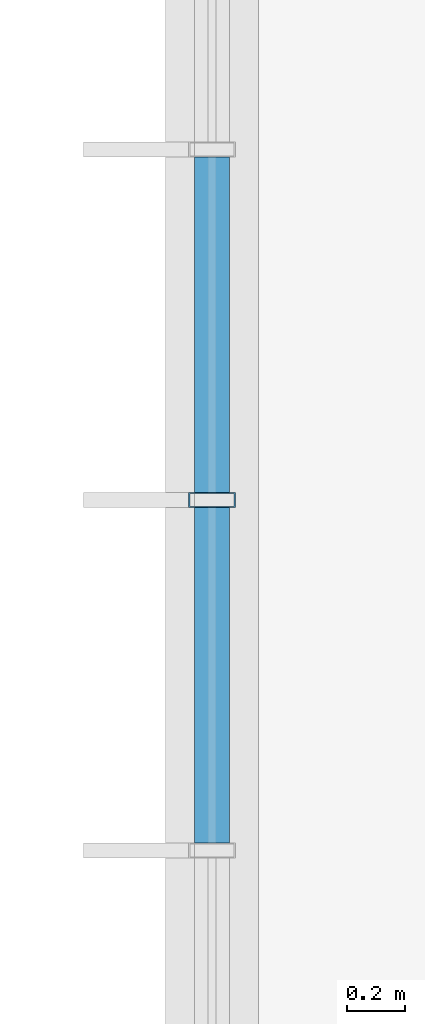
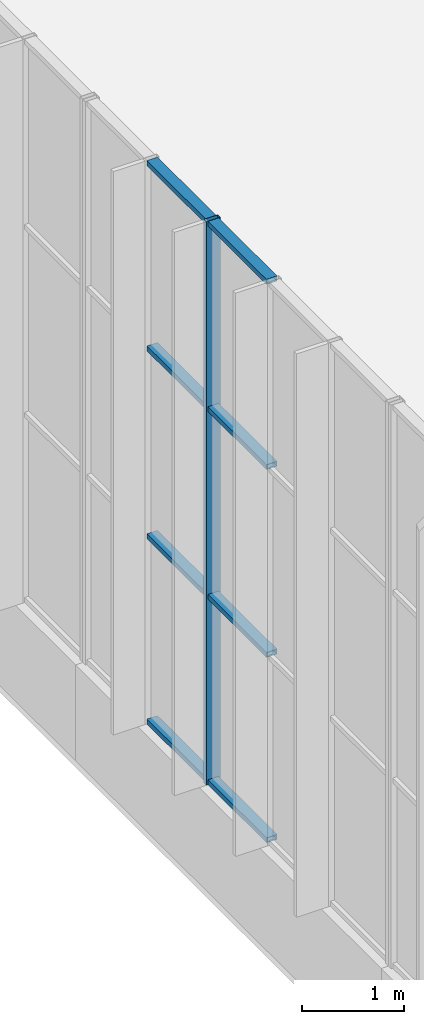
# One storey, part 49 of 136: 9 members, 1 element without a shape of its own.
"""IFC4 building model written with IfcOpenShell, lengths in metres."""

from ifc_helpers import new_model, si_unit, direction, frame, origin, origin_2d, place, context, subcontext, project, spatial, hollow_rectangle, extrude, material, layer, layer_set, material_profile, profile_set, type_object, element, aggregate, save


model = new_model("IFC4")

# Units and contexts
model_context = context("Model", 3, precision=1e-05, world=origin(), true_north=direction((0.0, 1.0)))
body_context = subcontext(model_context, "Body", "Model", "MODEL_VIEW")
ifc_project = project(units=[si_unit("LENGTHUNIT", "METRE"), si_unit("AREAUNIT", "SQUARE_METRE"), si_unit("VOLUMEUNIT", "CUBIC_METRE"), si_unit("PLANEANGLEUNIT", "RADIAN"), si_unit("MASSUNIT", "GRAM", prefix="KILO")], contexts=[model_context])

# Site, building, storey
site_placement = place(None, origin())
site = spatial("IfcSite", under=ifc_project, at=site_placement, CompositionType="ELEMENT")
building_placement = place(site_placement, origin())
building = spatial("IfcBuilding", under=site, at=building_placement, Name="Solvenia Promenade Tram Depot", CompositionType="ELEMENT")
storey_placement = place(building_placement, origin())
storey = spatial("IfcBuildingStorey", under=building, at=storey_placement, Name="L00", CompositionType="ELEMENT", Elevation=0.0)

# Curtain wall, members
ifc_material = material(Name="Anodized aluminium AW-6063 T6", Category="aluminium")
ifc_layer = layer(ifc_material, 0.159912109375, Name="Anodized aluminium AW-6063 T6", Category="aluminium")
ifc_layer_set = layer_set([ifc_layer], Name="Anodized aluminium AW-6063 T6")
curtain_wall_type = type_object("IfcCurtainWallType", Name="CW-Channel-1200", PredefinedType="NOTDEFINED", material=ifc_layer_set)
curtain_wall_placement = place(storey_placement, origin())
curtain_wall = element("IfcCurtainWall", 1, at=curtain_wall_placement, inside=storey, type_object=curtain_wall_type, Name="Curtain Wall CW-V1W-05", PredefinedType="NOTDEFINED")
ifc_material_profile_1 = material_profile(ifc_material, hollow_rectangle(XDim=0.159912109375, YDim=0.052001953125, WallThickness=0.00390625, at=origin_2d()), Name="ALU-M1", Category="aluminium")
ifc_profile_set_1 = profile_set([ifc_material_profile_1], Name="Anodized aluminium AW-6063 T6")
member_type_1 = type_object("IfcMemberType", Name="CWM-Mullion-1", PredefinedType="MULLION", material=ifc_profile_set_1)
member_1_placement = place(storey_placement, frame((0.0, 93.60009765625, 1.14990234375), z_axis=(0.0, 0.0, 1.0), x_axis=(-1.0, 0.0, 0.0)))
member_1 = element("IfcMember", 2, at=member_1_placement, type_object=member_type_1, Name="CW-1 mullion 4", PredefinedType="MULLION", context=body_context, shape_type="SweptSolid", body=[
    extrude(hollow_rectangle(XDim=0.159912109375, YDim=0.052001953125, WallThickness=0.00390625, at=origin_2d()), origin(), (0.0, 0.0, 1.0), 6.75),
])
ifc_material_profile_2 = material_profile(ifc_material, hollow_rectangle(XDim=0.1201171875, YDim=0.06005859375, WallThickness=0.00390625, at=origin_2d()), Name="ALU-T1", Category="aluminium")
ifc_profile_set_2 = profile_set([ifc_material_profile_2], Name="Anodized aluminium AW-6063 T6")
member_type_2 = type_object("IfcMemberType", Name="CWT-Transom-1", PredefinedType="USERDEFINED", material=ifc_profile_set_2)
member_2_placement = place(storey_placement, frame((0.0, 92.426025390625, 1.179931640625), z_axis=(0.0, 1.0, 0.0), x_axis=(-1.0, 0.0, 0.0)))
member_2 = element("IfcMember", 3, at=member_2_placement, type_object=member_type_2, Name="CW-1 transom 3.1", ObjectType="TRANSOM", PredefinedType="USERDEFINED", context=body_context, shape_type="SweptSolid", body=[
    extrude(hollow_rectangle(XDim=0.1201171875, YDim=0.06005859375, WallThickness=0.00390625, at=origin_2d()), origin(), (0.0, 0.0, 1.0), 1.14794921875),
])
member_3_placement = place(storey_placement, frame((0.0, 92.426025390625, 3.39990234375), z_axis=(0.0, 1.0, 0.0), x_axis=(-1.0, 0.0, 0.0)))
member_3 = element("IfcMember", 4, at=member_3_placement, type_object=member_type_2, Name="CW-1 transom 3.2", ObjectType="TRANSOM", PredefinedType="USERDEFINED", context=body_context, shape_type="SweptSolid", body=[
    extrude(hollow_rectangle(XDim=0.1201171875, YDim=0.06005859375, WallThickness=0.00390625, at=origin_2d()), origin(), (0.0, 0.0, 1.0), 1.14794921875),
])
member_4_placement = place(storey_placement, frame((0.0, 92.426025390625, 5.64990234375), z_axis=(0.0, 1.0, 0.0), x_axis=(-1.0, 0.0, 0.0)))
member_4 = element("IfcMember", 5, at=member_4_placement, type_object=member_type_2, Name="CW-1 transom 3.3", ObjectType="TRANSOM", PredefinedType="USERDEFINED", context=body_context, shape_type="SweptSolid", body=[
    extrude(hollow_rectangle(XDim=0.1201171875, YDim=0.06005859375, WallThickness=0.00390625, at=origin_2d()), origin(), (0.0, 0.0, 1.0), 1.14794921875),
])
member_5_placement = place(storey_placement, frame((0.0, 92.426025390625, 7.8701171875), z_axis=(0.0, 1.0, 0.0), x_axis=(-1.0, 0.0, 0.0)))
member_5 = element("IfcMember", 6, at=member_5_placement, type_object=member_type_2, Name="CW-1 transom 3.4", ObjectType="TRANSOM", PredefinedType="USERDEFINED", context=body_context, shape_type="SweptSolid", body=[
    extrude(hollow_rectangle(XDim=0.1201171875, YDim=0.06005859375, WallThickness=0.00390625, at=origin_2d()), origin(), (0.0, 0.0, 1.0), 1.14794921875),
])
member_6_placement = place(storey_placement, frame((0.0, 93.6259765625, 1.179931640625), z_axis=(0.0, 1.0, 0.0), x_axis=(-1.0, 0.0, 0.0)))
member_6 = element("IfcMember", 7, at=member_6_placement, type_object=member_type_2, Name="CW-1 transom 4.1", ObjectType="TRANSOM", PredefinedType="USERDEFINED", context=body_context, shape_type="SweptSolid", body=[
    extrude(hollow_rectangle(XDim=0.1201171875, YDim=0.06005859375, WallThickness=0.00390625, at=origin_2d()), origin(), (0.0, 0.0, 1.0), 1.14794921875),
])
member_7_placement = place(storey_placement, frame((0.0, 93.6259765625, 3.39990234375), z_axis=(0.0, 1.0, 0.0), x_axis=(-1.0, 0.0, 0.0)))
member_7 = element("IfcMember", 8, at=member_7_placement, type_object=member_type_2, Name="CW-1 transom 4.2", ObjectType="TRANSOM", PredefinedType="USERDEFINED", context=body_context, shape_type="SweptSolid", body=[
    extrude(hollow_rectangle(XDim=0.1201171875, YDim=0.06005859375, WallThickness=0.00390625, at=origin_2d()), origin(), (0.0, 0.0, 1.0), 1.14794921875),
])
member_8_placement = place(storey_placement, frame((0.0, 93.6259765625, 5.64990234375), z_axis=(0.0, 1.0, 0.0), x_axis=(-1.0, 0.0, 0.0)))
member_8 = element("IfcMember", 9, at=member_8_placement, type_object=member_type_2, Name="CW-1 transom 4.3", ObjectType="TRANSOM", PredefinedType="USERDEFINED", context=body_context, shape_type="SweptSolid", body=[
    extrude(hollow_rectangle(XDim=0.1201171875, YDim=0.06005859375, WallThickness=0.00390625, at=origin_2d()), origin(), (0.0, 0.0, 1.0), 1.14794921875),
])
member_9_placement = place(storey_placement, frame((0.0, 93.6259765625, 7.8701171875), z_axis=(0.0, 1.0, 0.0), x_axis=(-1.0, 0.0, 0.0)))
member_9 = element("IfcMember", 10, at=member_9_placement, type_object=member_type_2, Name="CW-1 transom 4.4", ObjectType="TRANSOM", PredefinedType="USERDEFINED", context=body_context, shape_type="SweptSolid", body=[
    extrude(hollow_rectangle(XDim=0.1201171875, YDim=0.06005859375, WallThickness=0.00390625, at=origin_2d()), origin(), (0.0, 0.0, 1.0), 1.14794921875),
])
aggregate(curtain_wall, [member_1, member_2, member_3, member_4, member_5, member_6, member_7, member_8, member_9])

save(model, "model.ifc")
